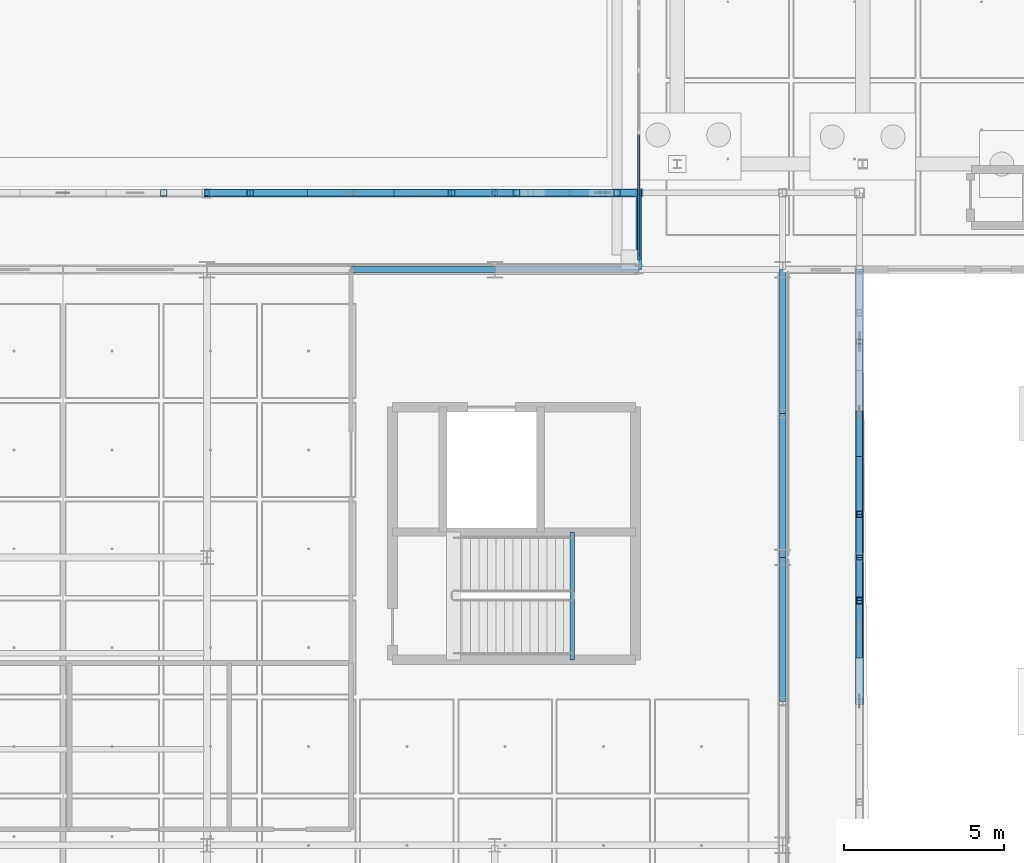
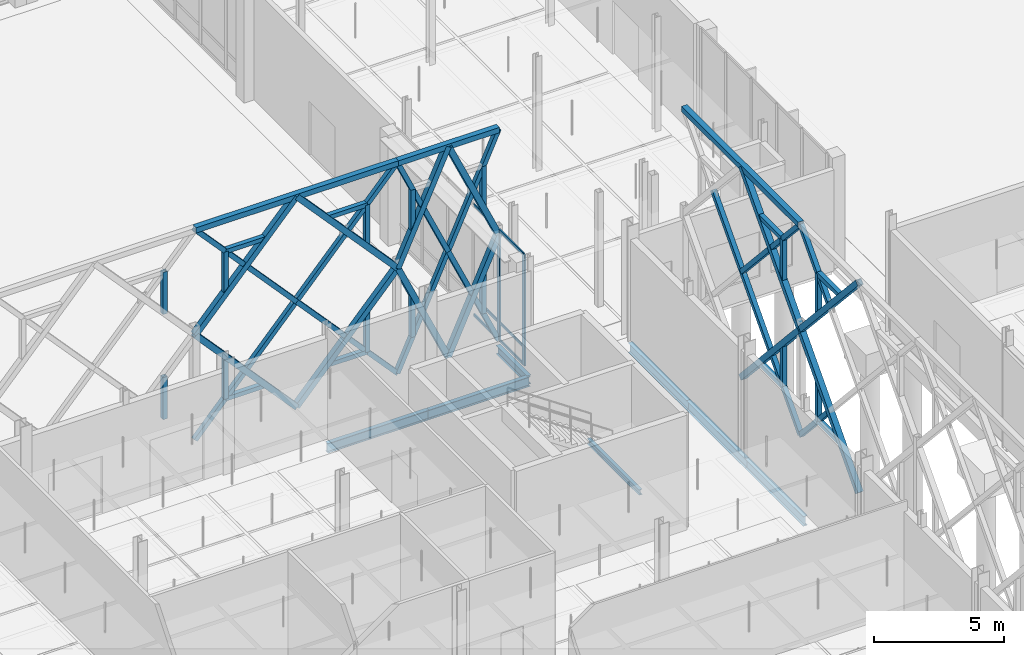
# One storey, part 45 of 180: 65 members, 7 beams, 1 element without a shape of its own.
"""IFC4 building model written with IfcOpenShell, lengths in metres."""

from ifc_helpers import new_model, si_unit, direction, frame, origin, origin_2d, place, context, subcontext, project, spatial, rectangle, hollow_rectangle, i_section, extrude, material, material_profile, profile_set, type_object, element, aggregate, save


model = new_model("IFC4")

# Units and contexts
model_context = context("Model", 3, precision=1e-05, world=origin(), true_north=direction((0.0, 1.0)))
body_context = subcontext(model_context, "Body", "Model", "MODEL_VIEW")
ifc_project = project(units=[si_unit("LENGTHUNIT", "METRE"), si_unit("AREAUNIT", "SQUARE_METRE"), si_unit("VOLUMEUNIT", "CUBIC_METRE"), si_unit("PLANEANGLEUNIT", "RADIAN"), si_unit("MASSUNIT", "GRAM", prefix="KILO"), si_unit("THERMODYNAMICTEMPERATUREUNIT", "KELVIN"), si_unit("POWERUNIT", "WATT")], contexts=[model_context])

# Site, building, storey
site_placement = place(None, origin())
site = spatial("IfcSite", under=ifc_project, at=site_placement, CompositionType="ELEMENT")
building_placement = place(site_placement, origin())
building = spatial("IfcBuilding", under=site, at=building_placement, Name="Tallowbark Science Centre", CompositionType="ELEMENT")
storey_placement = place(building_placement, origin())
storey = spatial("IfcBuildingStorey", under=building, at=storey_placement, Name="L00", CompositionType="ELEMENT", Elevation=0.0)

# Beam
ifc_material_1 = material(Name="Structural Steel Grade 300PLUS (300 MPa)", Category="steel")
ifc_material_profile_1 = material_profile(ifc_material_1, i_section(OverallWidth=0.177734375, OverallDepth=0.406494140625, WebThickness=0.0078125, FlangeThickness=0.0126953125, FilletRadius=0.011474609375, at=origin_2d()), Name="410UB59.7")
ifc_profile_set_1 = profile_set([ifc_material_profile_1], Name="Structural Steel Grade 300PLUS (300 MPa)")
beam_type_1 = type_object("IfcBeamType", Name="BM-UB410", PredefinedType="BEAM", material=ifc_profile_set_1)
beam_1_placement = place(storey_placement, frame((99.0, 40.5, -0.46826171875), z_axis=(0.0, 1.0, 0.0), x_axis=(-1.0, 0.0, 0.0)))
element("IfcBeam", 1, at=beam_1_placement, inside=storey, type_object=beam_type_1, Name="Primary Girder GRDY-L00-990-405-429", PredefinedType="BEAM", context=body_context, shape_type="SweptSolid", body=[
    extrude(i_section(OverallWidth=0.177734375, OverallDepth=0.406494140625, WebThickness=0.0078125, FlangeThickness=0.0126953125, FilletRadius=0.011474609375, at=origin_2d()), origin(), (0.0, 0.0, 1.0), 2.39990234375),
])

# Curtain wall, members
ifc_material_2 = material(Name="Unitised Thermally Broken Aluminium and Low-E Double Glazing", Category="aluminium")
curtain_wall_type = type_object("IfcCurtainWallType", Name="CW-SYS-FACADE", PredefinedType="NOTDEFINED", material=ifc_material_2)
curtain_wall_placement = place(storey_placement, origin())
curtain_wall = element("IfcCurtainWall", 2, at=curtain_wall_placement, inside=storey, type_object=curtain_wall_type, Name="Unitised Curtain Wall LNK-W-0 CW-L00-006", PredefinedType="NOTDEFINED")
ifc_material_3 = material(Name="Anodised Architectural Aluminium Alloy 6063-T6", Category="aluminium")
ifc_material_profile_2 = material_profile(ifc_material_3, rectangle(XDim=0.06494140625, YDim=0.179931640625, at=origin_2d()), Name="ALU65x180")
ifc_profile_set_2 = profile_set([ifc_material_profile_2], Name="Anodised Architectural Aluminium Alloy 6063-T6")
member_type_1 = type_object("IfcMemberType", Name="CWM-MUL-220", PredefinedType="MULLION", material=ifc_profile_set_2)
member_1_placement = place(storey_placement, frame((99.0, 42.81005859375, 0.0), z_axis=(0.0, 0.0, 1.0), x_axis=(1.0, 0.0, 0.0)))
member_1 = element("IfcMember", 3, at=member_1_placement, type_object=member_type_1, Name="CW-01 mullion 5", PredefinedType="MULLION", context=body_context, shape_type="SweptSolid", body=[
    extrude(rectangle(XDim=0.06494140625, YDim=0.179931640625, at=origin_2d()), origin(), (0.0, 0.0, 1.0), 5.219970703125),
])
member_2_placement = place(storey_placement, frame((99.0, 40.882568359375, 0.0), z_axis=(0.0, 0.0, 1.0), x_axis=(1.0, 0.0, 0.0)))
member_2 = element("IfcMember", 4, at=member_2_placement, type_object=member_type_1, Name="CW-01 mullion 6", PredefinedType="MULLION", context=body_context, shape_type="SweptSolid", body=[
    extrude(rectangle(XDim=0.06494140625, YDim=0.179931640625, at=origin_2d()), origin(), (0.0, 0.0, 1.0), 5.219970703125),
])
ifc_material_profile_3 = material_profile(ifc_material_3, rectangle(XDim=0.054931640625, YDim=0.1201171875, at=origin_2d()), Name="ALU55x120")
ifc_profile_set_3 = profile_set([ifc_material_profile_3], Name="Anodised Architectural Aluminium Alloy 6063-T6")
member_type_2 = type_object("IfcMemberType", Name="CWM-TRN-150", PredefinedType="USERDEFINED", material=ifc_profile_set_3)
member_3_placement = place(storey_placement, frame((99.0, 44.737548828125, 0.027587890625), z_axis=(0.0, -1.0, 0.0), x_axis=(1.0, 0.0, 0.0)))
member_3 = element("IfcMember", 5, at=member_3_placement, type_object=member_type_2, Name="CW-01 transom 4.1", ObjectType="TRANSOM", PredefinedType="USERDEFINED", context=body_context, shape_type="SweptSolid", body=[
    extrude(rectangle(XDim=0.054931640625, YDim=0.1201171875, at=origin_2d()), origin(), (0.0, 0.0, 1.0), 1.89501953125),
])
member_4_placement = place(storey_placement, frame((99.0, 44.737548828125, 0.85009765625), z_axis=(0.0, -1.0, 0.0), x_axis=(1.0, 0.0, 0.0)))
member_4 = element("IfcMember", 6, at=member_4_placement, type_object=member_type_2, Name="CW-01 transom 4.2", ObjectType="TRANSOM", PredefinedType="USERDEFINED", context=body_context, shape_type="SweptSolid", body=[
    extrude(rectangle(XDim=0.054931640625, YDim=0.1201171875, at=origin_2d()), origin(), (0.0, 0.0, 1.0), 1.89501953125),
])
member_5_placement = place(storey_placement, frame((99.0, 44.737548828125, 5.1923828125), z_axis=(0.0, -1.0, 0.0), x_axis=(1.0, 0.0, 0.0)))
member_5 = element("IfcMember", 7, at=member_5_placement, type_object=member_type_2, Name="CW-01 transom 4.3", ObjectType="TRANSOM", PredefinedType="USERDEFINED", context=body_context, shape_type="SweptSolid", body=[
    extrude(rectangle(XDim=0.054931640625, YDim=0.1201171875, at=origin_2d()), origin(), (0.0, 0.0, 1.0), 1.89501953125),
])
member_6_placement = place(storey_placement, frame((99.0, 42.777587890625, 0.027587890625), z_axis=(0.0, -1.0, 0.0), x_axis=(1.0, 0.0, 0.0)))
member_6 = element("IfcMember", 8, at=member_6_placement, type_object=member_type_2, Name="CW-01 transom 5.1", ObjectType="TRANSOM", PredefinedType="USERDEFINED", context=body_context, shape_type="SweptSolid", body=[
    extrude(rectangle(XDim=0.054931640625, YDim=0.1201171875, at=origin_2d()), origin(), (0.0, 0.0, 1.0), 1.862548828125),
])
member_7_placement = place(storey_placement, frame((99.0, 42.777587890625, 0.85009765625), z_axis=(0.0, -1.0, 0.0), x_axis=(1.0, 0.0, 0.0)))
member_7 = element("IfcMember", 9, at=member_7_placement, type_object=member_type_2, Name="CW-01 transom 5.2", ObjectType="TRANSOM", PredefinedType="USERDEFINED", context=body_context, shape_type="SweptSolid", body=[
    extrude(rectangle(XDim=0.054931640625, YDim=0.1201171875, at=origin_2d()), origin(), (0.0, 0.0, 1.0), 1.862548828125),
])
member_8_placement = place(storey_placement, frame((99.0, 42.777587890625, 5.1923828125), z_axis=(0.0, -1.0, 0.0), x_axis=(1.0, 0.0, 0.0)))
member_8 = element("IfcMember", 10, at=member_8_placement, type_object=member_type_2, Name="CW-01 transom 5.3", ObjectType="TRANSOM", PredefinedType="USERDEFINED", context=body_context, shape_type="SweptSolid", body=[
    extrude(rectangle(XDim=0.054931640625, YDim=0.1201171875, at=origin_2d()), origin(), (0.0, 0.0, 1.0), 1.862548828125),
])
aggregate(curtain_wall, [member_1, member_2, member_3, member_4, member_5, member_6, member_7, member_8])

# Beam
ifc_material_profile_4 = material_profile(ifc_material_1, i_section(OverallWidth=0.146484375, OverallDepth=0.256103515625, WebThickness=0.00634765625, FlangeThickness=0.010986328125, FilletRadius=0.0087890625, at=origin_2d()), Name="250UB37.3")
ifc_profile_set_4 = profile_set([ifc_material_profile_4], Name="Structural Steel Grade 300PLUS (300 MPa)")
beam_type_2 = type_object("IfcBeamType", Name="JST-UB250", PredefinedType="JOIST", material=ifc_profile_set_4)
beam_2_placement = place(storey_placement, frame((96.919921875, 28.300048828125, 2.371826171875), z_axis=(0.0, 1.0, 0.0), x_axis=(-1.0, 0.0, 0.0)))
element("IfcBeam", 11, at=beam_2_placement, inside=storey, type_object=beam_type_2, Name="Stair ST-03 Half-Landing Trimmer L00", PredefinedType="JOIST", context=body_context, shape_type="SweptSolid", body=[
    extrude(i_section(OverallWidth=0.146484375, OverallDepth=0.256103515625, WebThickness=0.00634765625, FlangeThickness=0.010986328125, FilletRadius=0.0087890625, at=origin_2d()), origin(), (0.0, 0.0, 1.0), 3.994873046875),
])

# Members
ifc_material_4 = material(Name="White Architectural Painted Steel Grade C350L0 (350 MPa)", Category="steel")
ifc_material_profile_5 = material_profile(ifc_material_4, hollow_rectangle(XDim=0.25, YDim=0.25, WallThickness=0.009033203125, at=origin_2d()), Name="250x250x9.0SHS")
ifc_profile_set_5 = profile_set([ifc_material_profile_5], Name="White Architectural Painted Steel Grade C350L0 (350 MPa)")
member_type_3 = type_object("IfcMemberType", Name="SCR-CHD200", PredefinedType="CHORD", material=ifc_profile_set_5)
member_9_placement = place(storey_placement, frame((85.5, 42.89990234375, 9.89990234375), z_axis=(1.0, 0.0, 0.0), x_axis=(0.0, 1.0, 0.0)))
element("IfcMember", 12, at=member_9_placement, inside=storey, type_object=member_type_3, Name="Star Screen Frame Chord N-7", PredefinedType="CHORD", context=body_context, shape_type="SweptSolid", body=[
    extrude(hollow_rectangle(XDim=0.25, YDim=0.25, WallThickness=0.009033203125, at=origin_2d()), origin(), (0.0, 0.0, 1.0), 9.0),
])
for number, where, z_axis, x_axis, name in (
    (13, (90.0, 42.89990234375, 0.0), (0.672676426978, 0.0, 0.739936770669), (0.0, 1.0, 0.0), "Star Screen Octagram Diamond Chord N-7-1"),
    (14, (94.5, 42.89990234375, 4.949951171875), (-0.672676426978, 0.0, 0.739936770669), (0.0, -1.0, 0.0), "Star Screen Octagram Diamond Chord N-7-2"),
    (15, (90.0, 42.89990234375, 9.89990234375), (-0.672676426978, 0.0, -0.739936770669), (0.0, -1.0, 0.0), "Star Screen Octagram Diamond Chord N-7-3"),
    (16, (85.5, 42.89990234375, 4.949951171875), (0.672676426978, 0.0, -0.739936770669), (0.0, 1.0, 0.0), "Star Screen Octagram Diamond Chord N-7-4"),
):
    element("IfcMember", number, at=place(storey_placement, frame(where, z_axis=z_axis, x_axis=x_axis)), inside=storey, type_object=member_type_3, Name=name, PredefinedType="CHORD", context=body_context, shape_type="SweptSolid", body=[
        extrude(hollow_rectangle(XDim=0.25, YDim=0.25, WallThickness=0.009033203125, at=origin_2d()), origin(), (0.0, 0.0, 1.0), 6.689697265625),
    ])
member_10_placement = place(storey_placement, frame((94.5, 42.89990234375, 9.89990234375), z_axis=(1.0, 0.0, 0.0), x_axis=(0.0, 1.0, 0.0)))
element("IfcMember", 17, at=member_10_placement, inside=storey, type_object=member_type_3, Name="Star Screen Frame Chord N-9", PredefinedType="CHORD", context=body_context, shape_type="SweptSolid", body=[
    extrude(hollow_rectangle(XDim=0.25, YDim=0.25, WallThickness=0.009033203125, at=origin_2d()), origin(), (0.0, 0.0, 1.0), 4.5),
])
for number, where, z_axis, x_axis, name in (
    (18, (96.75, 42.89990234375, 0.0), (0.41380632724, 0.0, 0.910364939756), (0.0, 1.0, 0.0), "Star Screen Octagram Diamond Chord N-9-1"),
    (19, (99.0, 42.89990234375, 4.949951171875), (-0.41380632724, 0.0, 0.910364939756), (0.0, -1.0, 0.0), "Star Screen Octagram Diamond Chord N-9-2"),
    (20, (96.75, 42.89990234375, 9.89990234375), (-0.41380632724, 0.0, -0.910364939756), (0.0, -1.0, 0.0), "Star Screen Octagram Diamond Chord N-9-3"),
    (21, (94.5, 42.89990234375, 4.949951171875), (0.41380632724, 0.0, -0.910364939756), (0.0, 1.0, 0.0), "Star Screen Octagram Diamond Chord N-9-4"),
):
    element("IfcMember", number, at=place(storey_placement, frame(where, z_axis=z_axis, x_axis=x_axis)), inside=storey, type_object=member_type_3, Name=name, PredefinedType="CHORD", context=body_context, shape_type="SweptSolid", body=[
        extrude(hollow_rectangle(XDim=0.25, YDim=0.25, WallThickness=0.009033203125, at=origin_2d()), origin(), (0.0, 0.0, 1.0), 5.437255859375),
    ])
for number, where, z_axis, x_axis, name in (
    (22, (105.89990234375, 27.0, 0.0), (0.0, 0.672676426978, 0.739936770669), (-1.0, 0.0, 0.0), "Star Screen Octagram Diamond Chord E-14-1"),
    (23, (105.89990234375, 31.5, 4.949951171875), (0.0, -0.672676426978, 0.739936770669), (1.0, 0.0, 0.0), "Star Screen Octagram Diamond Chord E-14-2"),
):
    element("IfcMember", number, at=place(storey_placement, frame(where, z_axis=z_axis, x_axis=x_axis)), inside=storey, type_object=member_type_3, Name=name, PredefinedType="CHORD", context=body_context, shape_type="SweptSolid", body=[
        extrude(hollow_rectangle(XDim=0.25, YDim=0.25, WallThickness=0.009033203125, at=origin_2d()), origin(), (0.0, 0.0, 1.0), 6.689697265625),
    ])
member_11_placement = place(storey_placement, frame((105.89990234375, 31.5, 9.89990234375), z_axis=(0.0, 1.0, 0.0), x_axis=(-1.0, 0.0, 0.0)))
element("IfcMember", 24, at=member_11_placement, inside=storey, type_object=member_type_3, Name="Star Screen Frame Chord E-16", PredefinedType="CHORD", context=body_context, shape_type="SweptSolid", body=[
    extrude(hollow_rectangle(XDim=0.25, YDim=0.25, WallThickness=0.009033203125, at=origin_2d()), origin(), (0.0, 0.0, 1.0), 9.0),
])
for number, where, z_axis, x_axis, name in (
    (25, (105.89990234375, 36.0, 9.89990234375), (0.0, -0.672676426978, -0.739936770669), (1.0, 0.0, 0.0), "Star Screen Octagram Diamond Chord E-16-3"),
    (26, (105.89990234375, 31.5, 4.949951171875), (0.0, 0.672676426978, -0.739936770669), (-1.0, 0.0, 0.0), "Star Screen Octagram Diamond Chord E-16-4"),
):
    element("IfcMember", number, at=place(storey_placement, frame(where, z_axis=z_axis, x_axis=x_axis)), inside=storey, type_object=member_type_3, Name=name, PredefinedType="CHORD", context=body_context, shape_type="SweptSolid", body=[
        extrude(hollow_rectangle(XDim=0.25, YDim=0.25, WallThickness=0.009033203125, at=origin_2d()), origin(), (0.0, 0.0, 1.0), 6.689697265625),
    ])
ifc_material_profile_6 = material_profile(ifc_material_4, hollow_rectangle(XDim=0.199951171875, YDim=0.199951171875, WallThickness=0.009033203125, at=origin_2d()), Name="200x200x9.0SHS")
ifc_profile_set_6 = profile_set([ifc_material_profile_6], Name="White Architectural Painted Steel Grade C350L0 (350 MPa)")
member_type_4 = type_object("IfcMemberType", Name="SCR-STAR139", PredefinedType="BRACE", material=ifc_profile_set_6)
member_12_placement = place(storey_placement, frame((85.5, 42.89990234375, 0.0), z_axis=(0.672658262301, 0.0, 0.739953283768), x_axis=(0.0, 1.0, 0.0)))
element("IfcMember", 27, at=member_12_placement, inside=storey, type_object=member_type_4, Name="Star Screen Continuous X-Diagonal D1A N-7", PredefinedType="BRACE", context=body_context, shape_type="SweptSolid", body=[
    extrude(hollow_rectangle(XDim=0.199951171875, YDim=0.199951171875, WallThickness=0.009033203125, at=origin_2d()), origin(), (0.0, 0.0, 1.0), 3.344970703125),
])
member_13_placement = place(storey_placement, frame((87.75, 42.89990234375, 2.47509765625), z_axis=(0.672676426978, 0.0, 0.739936770669), x_axis=(0.0, 1.0, 0.0)))
element("IfcMember", 28, at=member_13_placement, inside=storey, type_object=member_type_4, Name="Star Screen Continuous X-Diagonal D1M N-7", PredefinedType="BRACE", context=body_context, shape_type="SweptSolid", body=[
    extrude(hollow_rectangle(XDim=0.199951171875, YDim=0.199951171875, WallThickness=0.009033203125, at=origin_2d()), origin(), (0.0, 0.0, 1.0), 6.689697265625),
])
for number, where, z_axis, x_axis, name in (
    (29, (92.25, 42.89990234375, 7.425048828125), (0.672694592231, 0.0, 0.739920256233), (0.0, 1.0, 0.0), "Star Screen Continuous X-Diagonal D1B N-7"),
    (30, (85.5, 42.89990234375, 9.89990234375), (0.672694592231, 0.0, -0.739920256233), (0.0, 1.0, 0.0), "Star Screen Split X-Diagonal D2A N-7"),
):
    element("IfcMember", number, at=place(storey_placement, frame(where, z_axis=z_axis, x_axis=x_axis)), inside=storey, type_object=member_type_4, Name=name, PredefinedType="BRACE", context=body_context, shape_type="SweptSolid", body=[
        extrude(hollow_rectangle(XDim=0.199951171875, YDim=0.199951171875, WallThickness=0.009033203125, at=origin_2d()), origin(), (0.0, 0.0, 1.0), 3.3447265625),
    ])
member_14_placement = place(storey_placement, frame((87.75, 42.89990234375, 7.425048828125), z_axis=(0.672658262301, 0.0, -0.739953283768), x_axis=(0.0, 1.0, 0.0)))
element("IfcMember", 31, at=member_14_placement, inside=storey, type_object=member_type_4, Name="Star Screen Split X-Diagonal D2B N-7", PredefinedType="BRACE", context=body_context, shape_type="SweptSolid", body=[
    extrude(hollow_rectangle(XDim=0.199951171875, YDim=0.199951171875, WallThickness=0.009033203125, at=origin_2d()), origin(), (0.0, 0.0, 1.0), 3.344970703125),
])
member_15_placement = place(storey_placement, frame((90.0, 42.89990234375, 4.949951171875), z_axis=(0.672694592231, 0.0, -0.739920256233), x_axis=(0.0, 1.0, 0.0)))
element("IfcMember", 32, at=member_15_placement, inside=storey, type_object=member_type_4, Name="Star Screen Split X-Diagonal D2C N-7", PredefinedType="BRACE", context=body_context, shape_type="SweptSolid", body=[
    extrude(hollow_rectangle(XDim=0.199951171875, YDim=0.199951171875, WallThickness=0.009033203125, at=origin_2d()), origin(), (0.0, 0.0, 1.0), 3.3447265625),
])
member_16_placement = place(storey_placement, frame((92.25, 42.89990234375, 2.47509765625), z_axis=(0.672658262301, 0.0, -0.739953283768), x_axis=(0.0, 1.0, 0.0)))
element("IfcMember", 33, at=member_16_placement, inside=storey, type_object=member_type_4, Name="Star Screen Split X-Diagonal D2D N-7", PredefinedType="BRACE", context=body_context, shape_type="SweptSolid", body=[
    extrude(hollow_rectangle(XDim=0.199951171875, YDim=0.199951171875, WallThickness=0.009033203125, at=origin_2d()), origin(), (0.0, 0.0, 1.0), 3.344970703125),
])
member_17_placement = place(storey_placement, frame((94.5, 42.89990234375, 0.0), z_axis=(0.413789413043, 0.0, 0.910372627913), x_axis=(0.0, 1.0, 0.0)))
element("IfcMember", 34, at=member_17_placement, inside=storey, type_object=member_type_4, Name="Star Screen Continuous X-Diagonal D1A N-9", PredefinedType="BRACE", context=body_context, shape_type="SweptSolid", body=[
    extrude(hollow_rectangle(XDim=0.199951171875, YDim=0.199951171875, WallThickness=0.009033203125, at=origin_2d()), origin(), (0.0, 0.0, 1.0), 2.71875),
])
member_18_placement = place(storey_placement, frame((95.625, 42.89990234375, 2.47509765625), z_axis=(0.41380632724, 0.0, 0.910364939756), x_axis=(0.0, 1.0, 0.0)))
element("IfcMember", 35, at=member_18_placement, inside=storey, type_object=member_type_4, Name="Star Screen Continuous X-Diagonal D1M N-9", PredefinedType="BRACE", context=body_context, shape_type="SweptSolid", body=[
    extrude(hollow_rectangle(XDim=0.199951171875, YDim=0.199951171875, WallThickness=0.009033203125, at=origin_2d()), origin(), (0.0, 0.0, 1.0), 5.437255859375),
])
for number, where, z_axis, x_axis, name in (
    (36, (97.875, 42.89990234375, 7.425048828125), (0.413823242677, 0.0, 0.910357250655), (0.0, 1.0, 0.0), "Star Screen Continuous X-Diagonal D1B N-9"),
    (37, (94.5, 42.89990234375, 9.89990234375), (0.413823242677, 0.0, -0.910357250655), (0.0, 1.0, 0.0), "Star Screen Split X-Diagonal D2A N-9"),
):
    element("IfcMember", number, at=place(storey_placement, frame(where, z_axis=z_axis, x_axis=x_axis)), inside=storey, type_object=member_type_4, Name=name, PredefinedType="BRACE", context=body_context, shape_type="SweptSolid", body=[
        extrude(hollow_rectangle(XDim=0.199951171875, YDim=0.199951171875, WallThickness=0.009033203125, at=origin_2d()), origin(), (0.0, 0.0, 1.0), 2.718505859375),
    ])
member_19_placement = place(storey_placement, frame((95.625, 42.89990234375, 7.425048828125), z_axis=(0.413789413043, 0.0, -0.910372627913), x_axis=(0.0, 1.0, 0.0)))
element("IfcMember", 38, at=member_19_placement, inside=storey, type_object=member_type_4, Name="Star Screen Split X-Diagonal D2B N-9", PredefinedType="BRACE", context=body_context, shape_type="SweptSolid", body=[
    extrude(hollow_rectangle(XDim=0.199951171875, YDim=0.199951171875, WallThickness=0.009033203125, at=origin_2d()), origin(), (0.0, 0.0, 1.0), 2.71875),
])
member_20_placement = place(storey_placement, frame((96.75, 42.89990234375, 4.949951171875), z_axis=(0.413823242677, 0.0, -0.910357250655), x_axis=(0.0, 1.0, 0.0)))
element("IfcMember", 39, at=member_20_placement, inside=storey, type_object=member_type_4, Name="Star Screen Split X-Diagonal D2C N-9", PredefinedType="BRACE", context=body_context, shape_type="SweptSolid", body=[
    extrude(hollow_rectangle(XDim=0.199951171875, YDim=0.199951171875, WallThickness=0.009033203125, at=origin_2d()), origin(), (0.0, 0.0, 1.0), 2.718505859375),
])
member_21_placement = place(storey_placement, frame((97.875, 42.89990234375, 2.47509765625), z_axis=(0.413789413043, 0.0, -0.910372627913), x_axis=(0.0, 1.0, 0.0)))
element("IfcMember", 40, at=member_21_placement, inside=storey, type_object=member_type_4, Name="Star Screen Split X-Diagonal D2D N-9", PredefinedType="BRACE", context=body_context, shape_type="SweptSolid", body=[
    extrude(hollow_rectangle(XDim=0.199951171875, YDim=0.199951171875, WallThickness=0.009033203125, at=origin_2d()), origin(), (0.0, 0.0, 1.0), 2.71875),
])
member_22_placement = place(storey_placement, frame((105.89990234375, 29.25, 7.425048828125), z_axis=(0.0, 0.672694592231, 0.739920256233), x_axis=(-1.0, 0.0, 0.0)))
element("IfcMember", 41, at=member_22_placement, inside=storey, type_object=member_type_4, Name="Star Screen Continuous X-Diagonal D1B E-14", PredefinedType="BRACE", context=body_context, shape_type="SweptSolid", body=[
    extrude(hollow_rectangle(XDim=0.199951171875, YDim=0.199951171875, WallThickness=0.009033203125, at=origin_2d()), origin(), (0.0, 0.0, 1.0), 3.3447265625),
])
for number, where, z_axis, x_axis, name in (
    (42, (105.89990234375, 29.25, 2.47509765625), (0.0, 0.672658262301, -0.739953283768), (-1.0, 0.0, 0.0), "Star Screen Split X-Diagonal D2D E-14"),
    (43, (105.89990234375, 31.5, 0.0), (0.0, 0.672658262301, 0.739953283768), (-1.0, 0.0, 0.0), "Star Screen Continuous X-Diagonal D1A E-16"),
):
    element("IfcMember", number, at=place(storey_placement, frame(where, z_axis=z_axis, x_axis=x_axis)), inside=storey, type_object=member_type_4, Name=name, PredefinedType="BRACE", context=body_context, shape_type="SweptSolid", body=[
        extrude(hollow_rectangle(XDim=0.199951171875, YDim=0.199951171875, WallThickness=0.009033203125, at=origin_2d()), origin(), (0.0, 0.0, 1.0), 3.344970703125),
    ])
member_23_placement = place(storey_placement, frame((105.89990234375, 33.75, 2.47509765625), z_axis=(0.0, 0.672676426978, 0.739936770669), x_axis=(-1.0, 0.0, 0.0)))
element("IfcMember", 44, at=member_23_placement, inside=storey, type_object=member_type_4, Name="Star Screen Continuous X-Diagonal D1M E-16", PredefinedType="BRACE", context=body_context, shape_type="SweptSolid", body=[
    extrude(hollow_rectangle(XDim=0.199951171875, YDim=0.199951171875, WallThickness=0.009033203125, at=origin_2d()), origin(), (0.0, 0.0, 1.0), 6.689697265625),
])
member_24_placement = place(storey_placement, frame((105.89990234375, 31.5, 9.89990234375), z_axis=(0.0, 0.672694592231, -0.739920256233), x_axis=(-1.0, 0.0, 0.0)))
element("IfcMember", 45, at=member_24_placement, inside=storey, type_object=member_type_4, Name="Star Screen Split X-Diagonal D2A E-16", PredefinedType="BRACE", context=body_context, shape_type="SweptSolid", body=[
    extrude(hollow_rectangle(XDim=0.199951171875, YDim=0.199951171875, WallThickness=0.009033203125, at=origin_2d()), origin(), (0.0, 0.0, 1.0), 3.3447265625),
])
member_25_placement = place(storey_placement, frame((105.89990234375, 33.75, 7.425048828125), z_axis=(0.0, 0.672658262301, -0.739953283768), x_axis=(-1.0, 0.0, 0.0)))
element("IfcMember", 46, at=member_25_placement, inside=storey, type_object=member_type_4, Name="Star Screen Split X-Diagonal D2B E-16", PredefinedType="BRACE", context=body_context, shape_type="SweptSolid", body=[
    extrude(hollow_rectangle(XDim=0.199951171875, YDim=0.199951171875, WallThickness=0.009033203125, at=origin_2d()), origin(), (0.0, 0.0, 1.0), 3.344970703125),
])
ifc_material_profile_7 = material_profile(ifc_material_4, hollow_rectangle(XDim=0.199951171875, YDim=0.199951171875, WallThickness=0.009033203125, at=origin_2d()), Name="200x200x9.0SHS")
ifc_profile_set_7 = profile_set([ifc_material_profile_7], Name="White Architectural Painted Steel Grade C350L0 (350 MPa)")
member_type_5 = type_object("IfcMemberType", Name="SCR-SUB150", PredefinedType="BRACE", material=ifc_profile_set_7)
for number, where, z_axis, x_axis, name in (
    (47, (84.14990234375, 42.89990234375, 1.485107421875), (0.0, 0.0, 1.0), (1.0, 0.0, 0.0), "Star Screen Octagram Point Ray N-5-4"),
    (48, (84.14990234375, 42.89990234375, 8.4150390625), (0.0, 0.0, -1.0), (1.0, 0.0, 0.0), "Star Screen Octagram Point Ray N-5-6"),
):
    element("IfcMember", number, at=place(storey_placement, frame(where, z_axis=z_axis, x_axis=x_axis)), inside=storey, type_object=member_type_5, Name=name, PredefinedType="BRACE", context=body_context, shape_type="SweptSolid", body=[
        extrude(hollow_rectangle(XDim=0.199951171875, YDim=0.199951171875, WallThickness=0.009033203125, at=origin_2d()), origin(), (0.0, 0.0, 1.0), 1.97998046875),
    ])
member_26_placement = place(storey_placement, frame((86.85009765625, 42.89990234375, 1.485107421875), z_axis=(1.0, 0.0, 0.0), x_axis=(0.0, 1.0, 0.0)))
element("IfcMember", 49, at=member_26_placement, inside=storey, type_object=member_type_5, Name="Star Screen Octagram Point Ray N-7-1", PredefinedType="BRACE", context=body_context, shape_type="SweptSolid", body=[
    extrude(hollow_rectangle(XDim=0.199951171875, YDim=0.199951171875, WallThickness=0.009033203125, at=origin_2d()), origin(), (0.0, 0.0, 1.0), 1.7998046875),
])
member_27_placement = place(storey_placement, frame((86.85009765625, 42.89990234375, 1.485107421875), z_axis=(0.0, 0.0, 1.0), x_axis=(1.0, 0.0, 0.0)))
element("IfcMember", 50, at=member_27_placement, inside=storey, type_object=member_type_5, Name="Star Screen Octagram Point Ray N-7-2", PredefinedType="BRACE", context=body_context, shape_type="SweptSolid", body=[
    extrude(hollow_rectangle(XDim=0.199951171875, YDim=0.199951171875, WallThickness=0.009033203125, at=origin_2d()), origin(), (0.0, 0.0, 1.0), 1.97998046875),
])
member_28_placement = place(storey_placement, frame((93.14990234375, 42.89990234375, 1.485107421875), z_axis=(-1.0, 0.0, 0.0), x_axis=(0.0, -1.0, 0.0)))
element("IfcMember", 51, at=member_28_placement, inside=storey, type_object=member_type_5, Name="Star Screen Octagram Point Ray N-7-3", PredefinedType="BRACE", context=body_context, shape_type="SweptSolid", body=[
    extrude(hollow_rectangle(XDim=0.199951171875, YDim=0.199951171875, WallThickness=0.009033203125, at=origin_2d()), origin(), (0.0, 0.0, 1.0), 1.7998046875),
])
member_29_placement = place(storey_placement, frame((93.14990234375, 42.89990234375, 1.485107421875), z_axis=(0.0, 0.0, 1.0), x_axis=(1.0, 0.0, 0.0)))
element("IfcMember", 52, at=member_29_placement, inside=storey, type_object=member_type_5, Name="Star Screen Octagram Point Ray N-7-4", PredefinedType="BRACE", context=body_context, shape_type="SweptSolid", body=[
    extrude(hollow_rectangle(XDim=0.199951171875, YDim=0.199951171875, WallThickness=0.009033203125, at=origin_2d()), origin(), (0.0, 0.0, 1.0), 1.97998046875),
])
member_30_placement = place(storey_placement, frame((93.14990234375, 42.89990234375, 8.4150390625), z_axis=(-1.0, 0.0, 0.0), x_axis=(0.0, -1.0, 0.0)))
element("IfcMember", 53, at=member_30_placement, inside=storey, type_object=member_type_5, Name="Star Screen Octagram Point Ray N-7-5", PredefinedType="BRACE", context=body_context, shape_type="SweptSolid", body=[
    extrude(hollow_rectangle(XDim=0.199951171875, YDim=0.199951171875, WallThickness=0.009033203125, at=origin_2d()), origin(), (0.0, 0.0, 1.0), 1.7998046875),
])
member_31_placement = place(storey_placement, frame((93.14990234375, 42.89990234375, 8.4150390625), z_axis=(0.0, 0.0, -1.0), x_axis=(1.0, 0.0, 0.0)))
element("IfcMember", 54, at=member_31_placement, inside=storey, type_object=member_type_5, Name="Star Screen Octagram Point Ray N-7-6", PredefinedType="BRACE", context=body_context, shape_type="SweptSolid", body=[
    extrude(hollow_rectangle(XDim=0.199951171875, YDim=0.199951171875, WallThickness=0.009033203125, at=origin_2d()), origin(), (0.0, 0.0, 1.0), 1.97998046875),
])
member_32_placement = place(storey_placement, frame((86.85009765625, 42.89990234375, 8.4150390625), z_axis=(1.0, 0.0, 0.0), x_axis=(0.0, 1.0, 0.0)))
element("IfcMember", 55, at=member_32_placement, inside=storey, type_object=member_type_5, Name="Star Screen Octagram Point Ray N-7-7", PredefinedType="BRACE", context=body_context, shape_type="SweptSolid", body=[
    extrude(hollow_rectangle(XDim=0.199951171875, YDim=0.199951171875, WallThickness=0.009033203125, at=origin_2d()), origin(), (0.0, 0.0, 1.0), 1.7998046875),
])
for number, where, z_axis, x_axis, name in (
    (56, (86.85009765625, 42.89990234375, 8.4150390625), (0.0, 0.0, -1.0), (1.0, 0.0, 0.0), "Star Screen Octagram Point Ray N-7-8"),
    (57, (95.175048828125, 42.89990234375, 1.485107421875), (0.0, 0.0, 1.0), (1.0, 0.0, 0.0), "Star Screen Octagram Point Ray N-9-2"),
    (58, (98.324951171875, 42.89990234375, 1.485107421875), (0.0, 0.0, 1.0), (1.0, 0.0, 0.0), "Star Screen Octagram Point Ray N-9-4"),
    (59, (98.324951171875, 42.89990234375, 8.4150390625), (0.0, 0.0, -1.0), (1.0, 0.0, 0.0), "Star Screen Octagram Point Ray N-9-6"),
    (60, (95.175048828125, 42.89990234375, 8.4150390625), (0.0, 0.0, -1.0), (1.0, 0.0, 0.0), "Star Screen Octagram Point Ray N-9-8"),
):
    element("IfcMember", number, at=place(storey_placement, frame(where, z_axis=z_axis, x_axis=x_axis)), inside=storey, type_object=member_type_5, Name=name, PredefinedType="BRACE", context=body_context, shape_type="SweptSolid", body=[
        extrude(hollow_rectangle(XDim=0.199951171875, YDim=0.199951171875, WallThickness=0.009033203125, at=origin_2d()), origin(), (0.0, 0.0, 1.0), 1.97998046875),
    ])
member_33_placement = place(storey_placement, frame((105.89990234375, 30.14990234375, 1.485107421875), z_axis=(0.0, -1.0, 0.0), x_axis=(1.0, 0.0, 0.0)))
element("IfcMember", 61, at=member_33_placement, inside=storey, type_object=member_type_5, Name="Star Screen Octagram Point Ray E-14-3", PredefinedType="BRACE", context=body_context, shape_type="SweptSolid", body=[
    extrude(hollow_rectangle(XDim=0.199951171875, YDim=0.199951171875, WallThickness=0.009033203125, at=origin_2d()), origin(), (0.0, 0.0, 1.0), 1.7998046875),
])
member_34_placement = place(storey_placement, frame((105.89990234375, 30.14990234375, 1.485107421875), z_axis=(0.0, 0.0, 1.0), x_axis=(1.0, 0.0, 0.0)))
element("IfcMember", 62, at=member_34_placement, inside=storey, type_object=member_type_5, Name="Star Screen Octagram Point Ray E-14-4", PredefinedType="BRACE", context=body_context, shape_type="SweptSolid", body=[
    extrude(hollow_rectangle(XDim=0.199951171875, YDim=0.199951171875, WallThickness=0.009033203125, at=origin_2d()), origin(), (0.0, 0.0, 1.0), 1.97998046875),
])
member_35_placement = place(storey_placement, frame((105.89990234375, 30.14990234375, 8.4150390625), z_axis=(0.0, -1.0, 0.0), x_axis=(1.0, 0.0, 0.0)))
element("IfcMember", 63, at=member_35_placement, inside=storey, type_object=member_type_5, Name="Star Screen Octagram Point Ray E-14-5", PredefinedType="BRACE", context=body_context, shape_type="SweptSolid", body=[
    extrude(hollow_rectangle(XDim=0.199951171875, YDim=0.199951171875, WallThickness=0.009033203125, at=origin_2d()), origin(), (0.0, 0.0, 1.0), 1.7998046875),
])
member_36_placement = place(storey_placement, frame((105.89990234375, 30.14990234375, 8.4150390625), z_axis=(0.0, 0.0, -1.0), x_axis=(1.0, 0.0, 0.0)))
element("IfcMember", 64, at=member_36_placement, inside=storey, type_object=member_type_5, Name="Star Screen Octagram Point Ray E-14-6", PredefinedType="BRACE", context=body_context, shape_type="SweptSolid", body=[
    extrude(hollow_rectangle(XDim=0.199951171875, YDim=0.199951171875, WallThickness=0.009033203125, at=origin_2d()), origin(), (0.0, 0.0, 1.0), 1.97998046875),
])
member_37_placement = place(storey_placement, frame((105.89990234375, 32.85009765625, 1.485107421875), z_axis=(0.0, 1.0, 0.0), x_axis=(-1.0, 0.0, 0.0)))
element("IfcMember", 65, at=member_37_placement, inside=storey, type_object=member_type_5, Name="Star Screen Octagram Point Ray E-16-1", PredefinedType="BRACE", context=body_context, shape_type="SweptSolid", body=[
    extrude(hollow_rectangle(XDim=0.199951171875, YDim=0.199951171875, WallThickness=0.009033203125, at=origin_2d()), origin(), (0.0, 0.0, 1.0), 1.7998046875),
])
member_38_placement = place(storey_placement, frame((105.89990234375, 32.85009765625, 1.485107421875), z_axis=(0.0, 0.0, 1.0), x_axis=(1.0, 0.0, 0.0)))
element("IfcMember", 66, at=member_38_placement, inside=storey, type_object=member_type_5, Name="Star Screen Octagram Point Ray E-16-2", PredefinedType="BRACE", context=body_context, shape_type="SweptSolid", body=[
    extrude(hollow_rectangle(XDim=0.199951171875, YDim=0.199951171875, WallThickness=0.009033203125, at=origin_2d()), origin(), (0.0, 0.0, 1.0), 1.97998046875),
])
member_39_placement = place(storey_placement, frame((105.89990234375, 32.85009765625, 8.4150390625), z_axis=(0.0, 1.0, 0.0), x_axis=(-1.0, 0.0, 0.0)))
element("IfcMember", 67, at=member_39_placement, inside=storey, type_object=member_type_5, Name="Star Screen Octagram Point Ray E-16-7", PredefinedType="BRACE", context=body_context, shape_type="SweptSolid", body=[
    extrude(hollow_rectangle(XDim=0.199951171875, YDim=0.199951171875, WallThickness=0.009033203125, at=origin_2d()), origin(), (0.0, 0.0, 1.0), 1.7998046875),
])
member_40_placement = place(storey_placement, frame((105.89990234375, 32.85009765625, 8.4150390625), z_axis=(0.0, 0.0, -1.0), x_axis=(1.0, 0.0, 0.0)))
element("IfcMember", 68, at=member_40_placement, inside=storey, type_object=member_type_5, Name="Star Screen Octagram Point Ray E-16-8", PredefinedType="BRACE", context=body_context, shape_type="SweptSolid", body=[
    extrude(hollow_rectangle(XDim=0.199951171875, YDim=0.199951171875, WallThickness=0.009033203125, at=origin_2d()), origin(), (0.0, 0.0, 1.0), 1.97998046875),
])

# Beams
ifc_material_profile_8 = material_profile(ifc_material_1, i_section(OverallWidth=0.18994140625, OverallDepth=0.453857421875, WebThickness=0.008544921875, FlangeThickness=0.0126953125, FilletRadius=0.011474609375, at=origin_2d()), Name="460UB67.1")
ifc_profile_set_8 = profile_set([ifc_material_profile_8], Name="Structural Steel Grade 300PLUS (300 MPa)")
beam_type_3 = type_object("IfcBeamType", Name="SPN-UB460", PredefinedType="SPANDREL", material=ifc_profile_set_8)
for number, where, z_axis, x_axis, name in (
    (69, (90.0, 40.5, -0.491943359375), (1.0, 0.0, 0.0), (0.0, 1.0, 0.0), "Primary Girder GRDX-L00-900-945-405"),
    (70, (94.5, 40.5, -0.491943359375), (1.0, 0.0, 0.0), (0.0, 1.0, 0.0), "Primary Girder GRDX-L00-945-990-405"),
    (71, (103.5, 27.0, -0.491943359375), (0.0, 1.0, 0.0), (-1.0, 0.0, 0.0), "Primary Girder GRDY-L00-1035-270-315"),
    (72, (103.5, 31.5, -0.491943359375), (0.0, 1.0, 0.0), (-1.0, 0.0, 0.0), "Primary Girder GRDY-L00-1035-315-360"),
    (73, (103.5, 36.0, -0.491943359375), (0.0, 1.0, 0.0), (-1.0, 0.0, 0.0), "Primary Girder GRDY-L00-1035-360-405"),
):
    element("IfcBeam", number, at=place(storey_placement, frame(where, z_axis=z_axis, x_axis=x_axis)), inside=storey, type_object=beam_type_3, Name=name, PredefinedType="SPANDREL", context=body_context, shape_type="SweptSolid", body=[
        extrude(i_section(OverallWidth=0.18994140625, OverallDepth=0.453857421875, WebThickness=0.008544921875, FlangeThickness=0.0126953125, FilletRadius=0.011474609375, at=origin_2d()), origin(), (0.0, 0.0, 1.0), 4.5),
    ])

save(model, "model.ifc")
